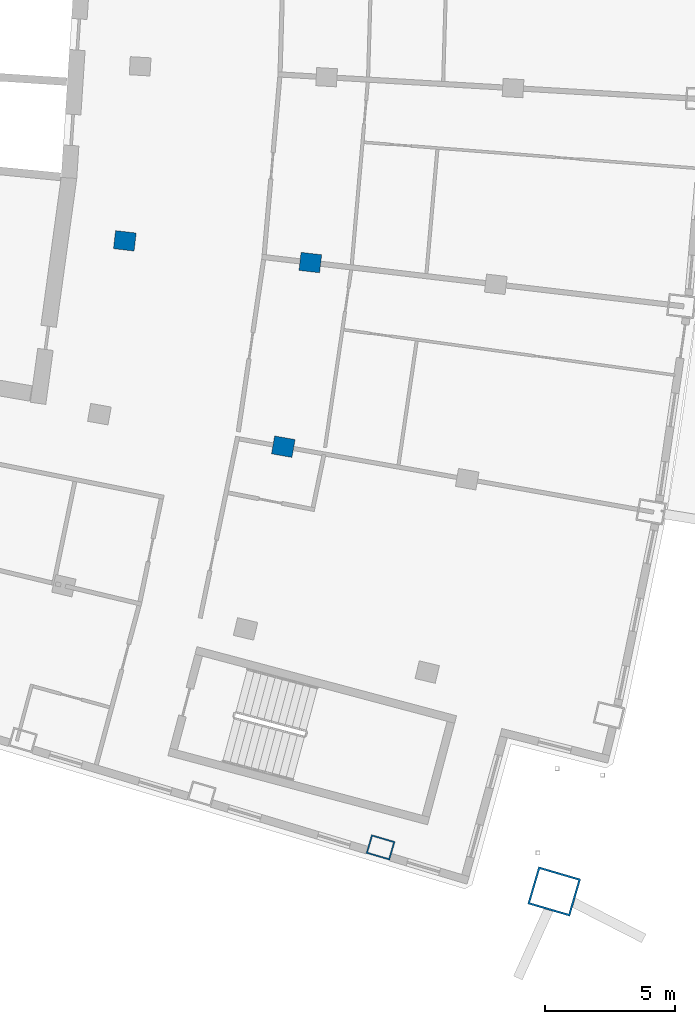
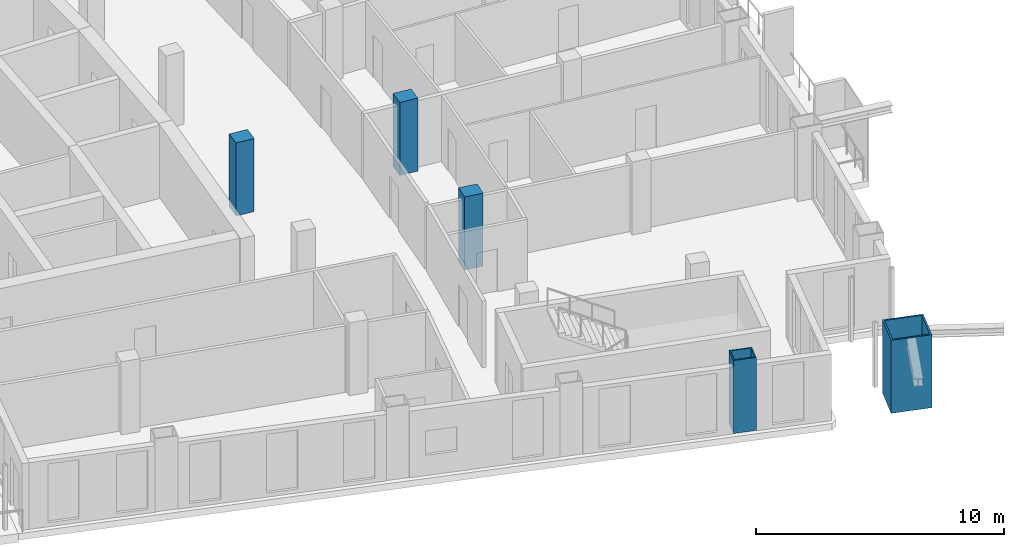
# One storey, part 4 of 19: 5 columns.
"""IFC4 building model written with IfcOpenShell, lengths in metres."""

from ifc_helpers import new_model, si_unit, direction, frame, origin, origin_2d, place, context, subcontext, project, spatial, rectangle, hollow_rectangle, extrude, material, material_profile, profile_set, type_object, element, save


model = new_model("IFC4")

# Units and contexts
model_context = context("Model", 3, precision=1e-05, world=origin(), true_north=direction((0.0, 1.0)))
body_context = subcontext(model_context, "Body", "Model", "MODEL_VIEW")
ifc_project = project(units=[si_unit("LENGTHUNIT", "METRE"), si_unit("AREAUNIT", "SQUARE_METRE"), si_unit("VOLUMEUNIT", "CUBIC_METRE"), si_unit("PLANEANGLEUNIT", "RADIAN"), si_unit("MASSUNIT", "GRAM", prefix="KILO")], contexts=[model_context])

# Site, building, storey
site_placement = place(None, origin())
site = spatial("IfcSite", under=ifc_project, at=site_placement, CompositionType="ELEMENT")
building_placement = place(site_placement, origin())
building = spatial("IfcBuilding", under=site, at=building_placement, Name="Alderwake Tower", CompositionType="ELEMENT")
storey_placement = place(building_placement, frame((0.0, 0.0, 228.800048828125)))
storey = spatial("IfcBuildingStorey", under=building, at=storey_placement, Name="L57", CompositionType="ELEMENT", Elevation=228.800048828125)

# Columns
ifc_material_1 = material(Name="Steel ASTM A572 Grade 50 concrete filled C70/85", Category="concrete")
ifc_material_profile_1 = material_profile(ifc_material_1, hollow_rectangle(XDim=0.75, YDim=0.949951171875, WallThickness=0.054931640625, at=origin_2d()), Name="BOX 950X750X55")
ifc_profile_set_1 = profile_set([ifc_material_profile_1], Name="Steel ASTM A572 Grade 50 concrete filled C70/85")
column_type_1 = type_object("IfcColumnType", Name="End column Z4", PredefinedType="COLUMN", material=ifc_profile_set_1)
column_1_placement = place(storey_placement, frame((44.872314453125, 24.13623046875, 0.0), z_axis=(0.0, 0.0, 1.0), x_axis=(0.283131639396, 0.959081057457, 0.0)))
element("IfcColumn", 1, at=column_1_placement, inside=storey, type_object=column_type_1, Name="Column R02-C4", PredefinedType="COLUMN", context=body_context, shape_type="SweptSolid", body=[
    extrude(hollow_rectangle(XDim=0.75, YDim=0.949951171875, WallThickness=0.054931640625, at=origin_2d()), origin(), (0.0, 0.0, 1.0), 3.599853515625),
])
ifc_material_2 = material(Name="Concrete C70/85", Category="concrete")
ifc_material_profile_2 = material_profile(ifc_material_2, rectangle(XDim=0.699951171875, YDim=0.800048828125, at=origin_2d()), Name="RC 800X700")
ifc_profile_set_2 = profile_set([ifc_material_profile_2], Name="Concrete C70/85")
column_type_2 = type_object("IfcColumnType", Name="Interior column Z4", PredefinedType="COLUMN", material=ifc_profile_set_2)
for number, where, z_axis, x_axis, name in (
    (2, (41.121337890625, 39.584716796875, 0.0), (0.0, 0.0, 1.0), (0.174108800747, 0.984726421654, 0.0), "Column R04-C3"),
    (3, (35.0126953125, 47.5205078125, 0.0), (0.0, 0.0, 1.0), (0.116402054316, 0.993202175668, 0.0), "Column R05-C2"),
    (4, (42.163818359375, 46.6826171875, 0.0), (0.0, 0.0, 1.0), (0.116402054316, 0.993202175668, 0.0), "Column R05-C3"),
):
    element("IfcColumn", number, at=place(storey_placement, frame(where, z_axis=z_axis, x_axis=x_axis)), inside=storey, type_object=column_type_2, Name=name, PredefinedType="COLUMN", context=body_context, shape_type="SweptSolid", body=[
        extrude(rectangle(XDim=0.699951171875, YDim=0.800048828125, at=origin_2d()), origin(), (0.0, 0.0, 1.0), 3.599853515625),
    ])
ifc_material_3 = material(Name="Steel ASTM A572 Grade 50 concrete filled C70/85", Category="concrete")
ifc_material_profile_3 = material_profile(ifc_material_3, hollow_rectangle(XDim=1.5, YDim=1.699951171875, WallThickness=0.074951171875, at=origin_2d()), Name="BOX 1700X1500X75")
ifc_profile_set_3 = profile_set([ifc_material_profile_3], Name="Steel ASTM A572 Grade 50 concrete filled C70/85")
column_type_3 = type_object("IfcColumnType", Name="Mega column Z4", PredefinedType="COLUMN", material=ifc_profile_set_3)
column_2_placement = place(storey_placement, frame((51.565185546875, 22.43798828125, 0.0), z_axis=(0.0, 0.0, 1.0), x_axis=(0.281269716931, 0.959628754435, 0.0)))
element("IfcColumn", 5, at=column_2_placement, inside=storey, type_object=column_type_3, Name="Column R02-C5", PredefinedType="COLUMN", context=body_context, shape_type="SweptSolid", body=[
    extrude(hollow_rectangle(XDim=1.5, YDim=1.699951171875, WallThickness=0.074951171875, at=origin_2d()), origin(), (0.0, 0.0, 1.0), 3.599853515625),
])

save(model, "model.ifc")
